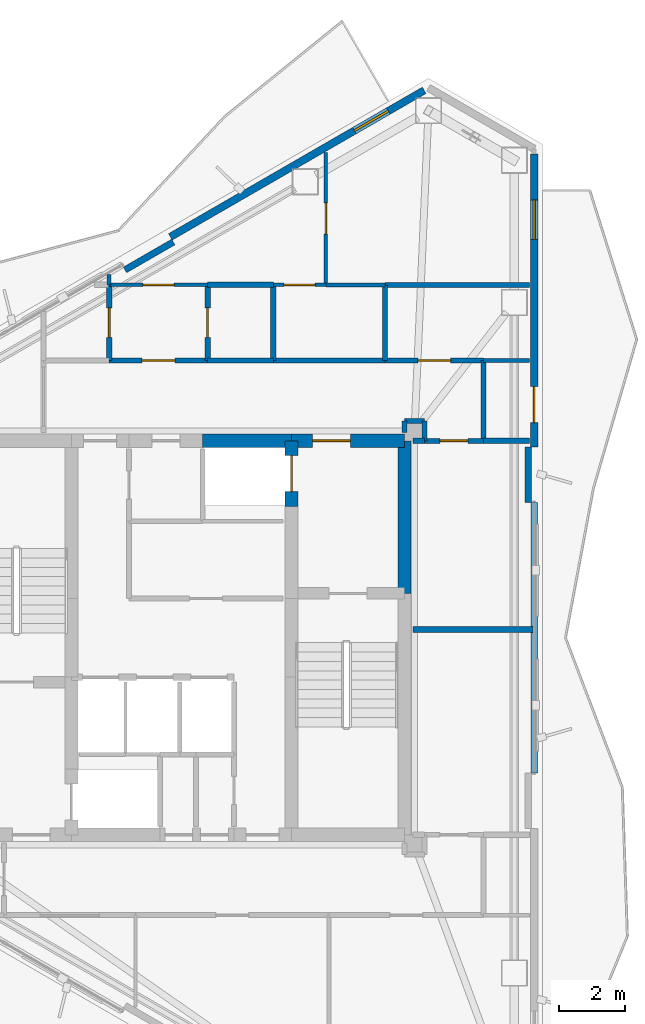
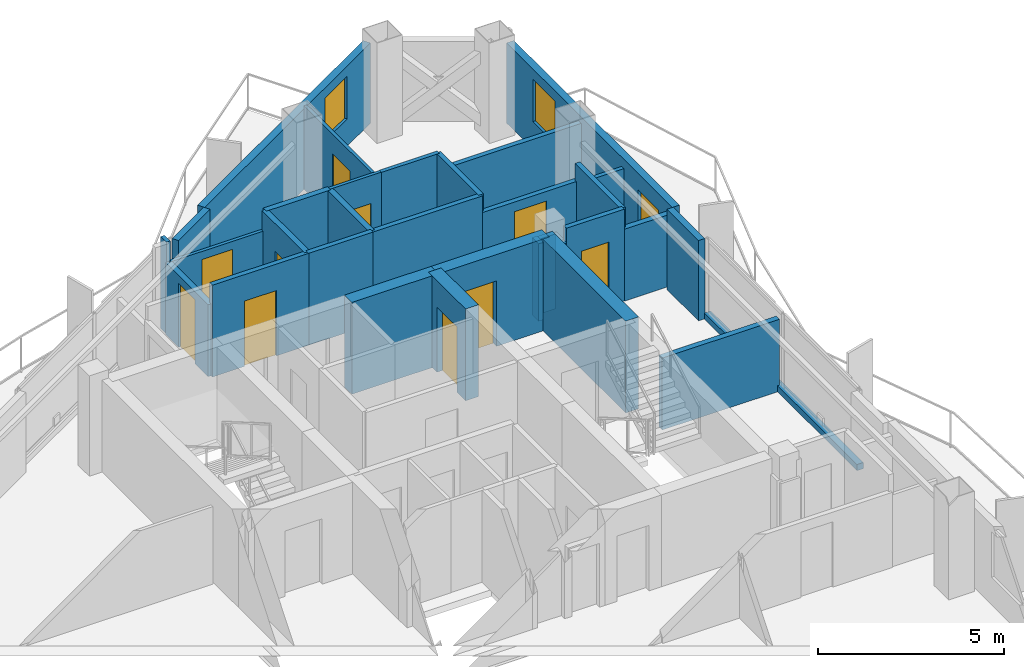
# One storey, part 16 of 18: 33 walls, 11 doors, 2 windows, 13 openings.
"""IFC4 building model written with IfcOpenShell, lengths in metres."""

from ifc_helpers import new_model, si_unit, direction, frame, frame_2d, origin, place, context, subcontext, project, spatial, rectangle, extrude, material, layer, layer_set, type_object, element, fill, save


model = new_model("IFC4")

# Units and contexts
model_context = context("Model", 3, precision=1e-05, world=origin(), true_north=direction((0.0, 1.0)))
body_context = subcontext(model_context, "Body", "Model", "MODEL_VIEW")
ifc_project = project(units=[si_unit("LENGTHUNIT", "METRE"), si_unit("AREAUNIT", "SQUARE_METRE"), si_unit("VOLUMEUNIT", "CUBIC_METRE"), si_unit("PLANEANGLEUNIT", "RADIAN"), si_unit("MASSUNIT", "GRAM", prefix="KILO")], contexts=[model_context])

# Site, building, storey
site_placement = place(None, origin())
site = spatial("IfcSite", under=ifc_project, at=site_placement, CompositionType="ELEMENT")
building_placement = place(site_placement, origin())
building = spatial("IfcBuilding", under=site, at=building_placement, Name="Mersakhor Tower and Convention Hall", CompositionType="ELEMENT")
storey_placement = place(building_placement, frame((0.0, 0.0, 246.300048828125)))
storey = spatial("IfcBuildingStorey", under=building, at=storey_placement, Name="L69", CompositionType="ELEMENT", Elevation=246.300048828125)

# Wall, opening, window
ifc_material_1 = material(Name="Precast concrete C40/50", Category="concrete")
ifc_layer_1 = layer(ifc_material_1, 0.22509765625)
ifc_layer_set_1 = layer_set([ifc_layer_1], Name="Precast concrete C40/50")
wall_type_1 = type_object("IfcWallType", Name="WL-EXT-225", PredefinedType="SOLIDWALL", material=ifc_layer_set_1)
wall_1_placement = place(storey_placement, frame((28.66357421875, 38.96044921875, 0.0), z_axis=(0.0, 0.0, 1.0), x_axis=(0.866026655105, 0.499997832642, 0.0)))
wall_1 = element("IfcWall", 1, at=wall_1_placement, inside=storey, type_object=wall_type_1, Name="L69 Exterior Facade Wall F1-B3", PredefinedType="SOLIDWALL", context=body_context, shape_type="SweptSolid", body=[
    extrude(rectangle(XDim=8.927734375, YDim=0.22509765625, at=frame_2d((4.4638671875, 0.0))), origin(), (0.0, 0.0, 1.0), 2.639892578125),
])
opening_1_placement = place(wall_1_placement, frame((6.471923828125, 0.0, 0.89990234375)))
opening_1 = element("IfcOpeningElement", 2, at=opening_1_placement, cuts=wall_1, Name="Opening W-01", PredefinedType="OPENING", context=body_context, shape_type="SweptSolid", body=[
    extrude(rectangle(XDim=1.199951171875, YDim=1.39990234375, at=frame_2d((0.60009765625, 0.699951171875))), frame((0.0, 0.12255859375, 0.0), z_axis=(0.0, -1.0, 0.0), x_axis=(1.0, 0.0, 0.0)), (0.0, 0.0, 1.0), 0.2451171875),
])
ifc_material_2 = material(Name="Dark solar low-E glazed aluminium window", Category="aluminium")
window_type = type_object("IfcWindowType", Name="WN-RES-120x150", PartitioningType="SINGLE_PANEL", PredefinedType="WINDOW", material=ifc_material_2)
window_1_placement = place(opening_1_placement, origin())
window_1 = element("IfcWindow", 3, at=window_1_placement, inside=storey, type_object=window_type, Name="L69 Bedroom Facade Window F1-B3-1", OverallHeight=1.39990234375, OverallWidth=1.199951171875, PartitioningType="SINGLE_PANEL", PredefinedType="WINDOW", context=body_context, shape_type="SweptSolid", body=[
    extrude(rectangle(XDim=1.199951171875, YDim=1.39990234375, at=frame_2d((0.60009765625, 0.699951171875))), frame((0.0, 0.030029296875, 0.0), z_axis=(0.0, -1.0, 0.0), x_axis=(1.0, 0.0, 0.0)), (0.0, 0.0, 1.0), 0.06005859375),
])
fill(opening_1, window_1)

# Wall, openings, door, window
wall_2_placement = place(storey_placement, frame((39.742919921875, 41.49169921875, 0.0), z_axis=(0.0, 0.0, 1.0), x_axis=(0.0, -1.0, 0.0)))
wall_2 = element("IfcWall", 4, at=wall_2_placement, inside=storey, type_object=wall_type_1, Name="L69 Exterior Facade Wall F2-B1", PredefinedType="SOLIDWALL", context=body_context, shape_type="SweptSolid", body=[
    extrude(rectangle(XDim=8.927734375, YDim=0.22509765625, at=frame_2d((4.4638671875, 0.0))), origin(), (0.0, 0.0, 1.0), 2.639892578125),
])
opening_2_placement = place(wall_2_placement, frame((7.090087890625, 0.0, 0.0)))
opening_2 = element("IfcOpeningElement", 5, at=opening_2_placement, cuts=wall_2, Name="Opening BD-02", PredefinedType="OPENING", context=body_context, shape_type="SweptSolid", body=[
    extrude(rectangle(XDim=1.10009765625, YDim=2.10009765625, at=frame_2d((0.550048828125, 1.050048828125))), frame((0.0, 0.12255859375, 0.0), z_axis=(0.0, -1.0, 0.0), x_axis=(1.0, 0.0, 0.0)), (0.0, 0.0, 1.0), 0.2451171875),
])
opening_3_placement = place(wall_2_placement, frame((1.406005859375, 0.0, 0.89990234375)))
opening_3 = element("IfcOpeningElement", 6, at=opening_3_placement, cuts=wall_2, Name="Opening W-01", PredefinedType="OPENING", context=body_context, shape_type="SweptSolid", body=[
    extrude(rectangle(XDim=1.199951171875, YDim=1.39990234375, at=frame_2d((0.60009765625, 0.699951171875))), frame((0.0, 0.12255859375, 0.0), z_axis=(0.0, -1.0, 0.0), x_axis=(1.0, 0.0, 0.0)), (0.0, 0.0, 1.0), 0.2451171875),
])
ifc_material_3 = material(Name="Thermally broken dark aluminium and safety glass", Category="aluminium")
door_type_1 = type_object("IfcDoorType", Name="DR-BAL-110x210", OperationType="NOTDEFINED", PredefinedType="DOOR", material=ifc_material_3)
door_1_placement = place(opening_2_placement, origin())
door_1 = element("IfcDoor", 7, at=door_1_placement, inside=storey, type_object=door_type_1, Name="L69 Balcony Terrace Door F2-B1", OperationType="SINGLE_SWING_RIGHT", OverallHeight=2.10009765625, OverallWidth=1.10009765625, PredefinedType="DOOR", context=body_context, shape_type="SweptSolid", body=[
    extrude(rectangle(XDim=1.10009765625, YDim=2.10009765625, at=frame_2d((0.550048828125, 1.050048828125))), frame((0.0, 0.02490234375, 0.0), z_axis=(0.0, -1.0, 0.0), x_axis=(1.0, 0.0, 0.0)), (0.0, 0.0, 1.0), 0.050048828125),
])
fill(opening_2, door_1)
window_2_placement = place(opening_3_placement, origin())
window_2 = element("IfcWindow", 8, at=window_2_placement, inside=storey, type_object=window_type, Name="L69 Bedroom Facade Window F2-B1-1", OverallHeight=1.39990234375, OverallWidth=1.199951171875, PartitioningType="SINGLE_PANEL", PredefinedType="WINDOW", context=body_context, shape_type="SweptSolid", body=[
    extrude(rectangle(XDim=1.199951171875, YDim=1.39990234375, at=frame_2d((0.60009765625, 0.699951171875))), frame((0.0, 0.030029296875, 0.0), z_axis=(0.0, -1.0, 0.0), x_axis=(1.0, 0.0, 0.0)), (0.0, 0.0, 1.0), 0.06005859375),
])
fill(opening_3, window_2)

# Walls
ifc_material_4 = material(Name="Precast concrete C40/50", Category="concrete")
ifc_layer_2 = layer(ifc_material_4, 0.199951171875)
ifc_layer_set_2 = layer_set([ifc_layer_2], Name="Precast concrete C40/50")
wall_type_2 = type_object("IfcWallType", Name="WL-PAR-200", PredefinedType="PARAPET", material=ifc_layer_set_2)
wall_3_placement = place(storey_placement, frame((27.28125, 37.95458984375, 0.0), z_axis=(0.0, 0.0, 1.0), x_axis=(0.866025371046, 0.500000056704, 0.0)))
element("IfcWall", 9, at=wall_3_placement, inside=storey, type_object=wall_type_2, Name="L69 Column Pier Cladding Wall F1-C2", PredefinedType="PARAPET", context=body_context, shape_type="SweptSolid", body=[
    extrude(rectangle(XDim=1.7001953125, YDim=0.199951171875, at=frame_2d((0.85009765625, 0.0))), origin(), (0.0, 0.0, 1.0), 2.639892578125),
])
wall_4_placement = place(storey_placement, frame((39.742919921875, 30.864013671875, 0.0), z_axis=(0.0, 0.0, 1.0), x_axis=(0.0, -1.0, 0.0)))
element("IfcWall", 10, at=wall_4_placement, inside=storey, type_object=wall_type_2, Name="L69 Curtain Wall Upstand Sill F2-B2", PredefinedType="PARAPET", context=body_context, shape_type="SweptSolid", body=[
    extrude(rectangle(XDim=8.22802734375, YDim=0.199951171875, at=frame_2d((4.114013671875, 0.0))), origin(), (0.0, 0.0, 1.0), 0.199951171875),
])
wall_5_placement = place(storey_placement, frame((39.562744140625, 32.56396484375, 0.0), z_axis=(0.0, 0.0, 1.0), x_axis=(0.0, -1.0, 0.0)))
element("IfcWall", 11, at=wall_5_placement, inside=storey, type_object=wall_type_2, Name="L69 Column Pier Cladding Wall F2-C1", PredefinedType="PARAPET", context=body_context, shape_type="SweptSolid", body=[
    extrude(rectangle(XDim=1.699951171875, YDim=0.199951171875, at=frame_2d((0.85009765625, 0.0))), origin(), (0.0, 0.0, 1.0), 2.639892578125),
])

# Wall, opening, door
ifc_material_5 = material(Name="Moisture-resistant acoustic drywall studwork", Category="other")
ifc_layer_3 = layer(ifc_material_5, 0.175048828125)
ifc_layer_set_3 = layer_set([ifc_layer_3], Name="Moisture-resistant acoustic drywall studwork")
wall_type_3 = type_object("IfcWallType", Name="WL-PLM-175", PredefinedType="PLUMBINGWALL", material=ifc_layer_set_3)
wall_6_placement = place(storey_placement, frame((29.800048828125, 37.5, 0.0), z_axis=(0.0, 0.0, 1.0), x_axis=(0.0, -1.0, 0.0)))
wall_6 = element("IfcWall", 12, at=wall_6_placement, inside=storey, type_object=wall_type_3, Name="L69 Interior Partition Wall P-037", PredefinedType="PLUMBINGWALL", context=body_context, shape_type="SweptSolid", body=[
    extrude(rectangle(XDim=2.300048828125, YDim=0.175048828125, at=frame_2d((1.14990234375, 0.0))), origin(), (0.0, 0.0, 1.0), 3.02001953125),
])
opening_4_placement = place(wall_6_placement, frame((0.699951171875, 0.0, 0.0)))
opening_4 = element("IfcOpeningElement", 13, at=opening_4_placement, cuts=wall_6, Name="Opening WD-01", PredefinedType="OPENING", context=body_context, shape_type="SweptSolid", body=[
    extrude(rectangle(XDim=0.89990234375, YDim=2.10009765625, at=frame_2d((0.449951171875, 1.050048828125))), frame((0.0, 0.097412109375, 0.0), z_axis=(0.0, -1.0, 0.0), x_axis=(1.0, 0.0, 0.0)), (0.0, 0.0, 1.0), 0.195068359375),
])
ifc_material_6 = material(Name="Solid-core hardwood leaf in painted steel frame", Category="steel")
door_type_2 = type_object("IfcDoorType", Name="DR-INT-WET-090x210", OperationType="NOTDEFINED", PredefinedType="DOOR", material=ifc_material_6)
door_2_placement = place(opening_4_placement, origin())
door_2 = element("IfcDoor", 14, at=door_2_placement, inside=storey, type_object=door_type_2, Name="L69 L69 Flat N1 Apartment Hall to L69 Flat N1 En-Suite Shower Room Door", OperationType="SINGLE_SWING_RIGHT", OverallHeight=2.10009765625, OverallWidth=0.89990234375, PredefinedType="DOOR", context=body_context, shape_type="SweptSolid", body=[
    extrude(rectangle(XDim=0.89990234375, YDim=2.10009765625, at=frame_2d((0.449951171875, 1.050048828125))), frame((0.0, 0.02490234375, 0.0), z_axis=(0.0, -1.0, 0.0), x_axis=(1.0, 0.0, 0.0)), (0.0, 0.0, 1.0), 0.050048828125),
])
fill(opening_4, door_2)

wall_7_placement = place(storey_placement, frame((26.800048828125, 35.199951171875, 0.0), z_axis=(0.0, 0.0, 1.0), x_axis=(0.0, 1.0, 0.0)))
wall_7 = element("IfcWall", 15, at=wall_7_placement, inside=storey, type_object=wall_type_3, Name="L69 Interior Partition Wall P-038", PredefinedType="PLUMBINGWALL", context=body_context, shape_type="SweptSolid", body=[
    extrude(rectangle(XDim=2.300048828125, YDim=0.175048828125, at=frame_2d((1.14990234375, 0.0))), origin(), (0.0, 0.0, 1.0), 2.364990234375),
])
opening_5_placement = place(wall_7_placement, frame((0.699951171875, 0.0, 0.0)))
opening_5 = element("IfcOpeningElement", 16, at=opening_5_placement, cuts=wall_7, Name="Opening WD-01", PredefinedType="OPENING", context=body_context, shape_type="SweptSolid", body=[
    extrude(rectangle(XDim=0.89990234375, YDim=2.10009765625, at=frame_2d((0.449951171875, 1.050048828125))), frame((0.0, 0.097412109375, 0.0), z_axis=(0.0, -1.0, 0.0), x_axis=(1.0, 0.0, 0.0)), (0.0, 0.0, 1.0), 0.195068359375),
])
door_3_placement = place(opening_5_placement, origin())
door_3 = element("IfcDoor", 17, at=door_3_placement, inside=storey, type_object=door_type_2, Name="L69 L69 Flat N1 Apartment Hall to L69 Flat N1 Bathroom Door", OperationType="SINGLE_SWING_LEFT", OverallHeight=2.10009765625, OverallWidth=0.89990234375, PredefinedType="DOOR", context=body_context, shape_type="SweptSolid", body=[
    extrude(rectangle(XDim=0.89990234375, YDim=2.10009765625, at=frame_2d((0.449951171875, 1.050048828125))), frame((0.0, 0.02490234375, 0.0), z_axis=(0.0, -1.0, 0.0), x_axis=(1.0, 0.0, 0.0)), (0.0, 0.0, 1.0), 0.050048828125),
])
fill(opening_5, door_3)

# Walls
wall_8_placement = place(storey_placement, frame((36.050048828125, 32.75, 0.0), z_axis=(0.0, 0.0, 1.0), x_axis=(1.0, 0.0, 0.0)))
element("IfcWall", 18, at=wall_8_placement, inside=storey, type_object=wall_type_3, Name="L69 Interior Partition Wall P-039", PredefinedType="PLUMBINGWALL", context=body_context, shape_type="SweptSolid", body=[
    extrude(rectangle(XDim=0.349853515625, YDim=0.175048828125, at=frame_2d((0.1748046875, 0.0))), origin(), (0.0, 0.0, 1.0), 2.544921875),
])
wall_9_placement = place(storey_placement, frame((38.199951171875, 32.75, 0.0), z_axis=(0.0, 0.0, 1.0), x_axis=(1.0, 0.0, 0.0)))
element("IfcWall", 19, at=wall_9_placement, inside=storey, type_object=wall_type_3, Name="L69 Interior Partition Wall P-040", PredefinedType="PLUMBINGWALL", context=body_context, shape_type="SweptSolid", body=[
    extrude(rectangle(XDim=1.40625, YDim=0.175048828125, at=frame_2d((0.703125, 0.0))), origin(), (0.0, 0.0, 1.0), 2.364990234375),
])
wall_10_placement = place(storey_placement, frame((39.702880859375, 27.0, 0.0), z_axis=(0.0, 0.0, 1.0), x_axis=(-1.0, 0.0, 0.0)))
element("IfcWall", 20, at=wall_10_placement, inside=storey, type_object=wall_type_3, Name="L69 Interior Partition Wall P-041", PredefinedType="PLUMBINGWALL", context=body_context, shape_type="SweptSolid", body=[
    extrude(rectangle(XDim=3.65283203125, YDim=0.175048828125, at=frame_2d((1.826416015625, 0.0))), origin(), (0.0, 0.0, 1.0), 2.364990234375),
])
wall_11_placement = place(storey_placement, frame((29.800048828125, 37.5, 0.0), z_axis=(0.0, 0.0, 1.0), x_axis=(1.0, 0.0, 0.0)))
element("IfcWall", 21, at=wall_11_placement, inside=storey, type_object=wall_type_3, Name="L69 Interior Partition Wall P-046", PredefinedType="PLUMBINGWALL", context=body_context, shape_type="SweptSolid", body=[
    extrude(rectangle(XDim=2.0, YDim=0.175048828125, at=frame_2d((1.0, 0.0))), origin(), (0.0, 0.0, 1.0), 3.02001953125),
])
wall_12_placement = place(storey_placement, frame((31.800048828125, 37.5, 0.0), z_axis=(0.0, 0.0, 1.0), x_axis=(0.0, -1.0, 0.0)))
element("IfcWall", 22, at=wall_12_placement, inside=storey, type_object=wall_type_3, Name="L69 Interior Partition Wall P-047", PredefinedType="PLUMBINGWALL", context=body_context, shape_type="SweptSolid", body=[
    extrude(rectangle(XDim=2.300048828125, YDim=0.175048828125, at=frame_2d((1.14990234375, 0.0))), origin(), (0.0, 0.0, 1.0), 3.02001953125),
])

# Wall, opening, door
ifc_material_7 = material(Name="Lightweight gypsum partition", Category="other")
ifc_layer_4 = layer(ifc_material_7, 0.10009765625)
ifc_layer_set_4 = layer_set([ifc_layer_4], Name="Lightweight gypsum partition")
wall_type_4 = type_object("IfcWallType", Name="WL-PRT-100", PredefinedType="PARTITIONING", material=ifc_layer_set_4)
wall_13_placement = place(storey_placement, frame((26.800048828125, 37.5, 0.0), z_axis=(0.0, 0.0, 1.0), x_axis=(1.0, 0.0, 0.0)))
wall_13 = element("IfcWall", 23, at=wall_13_placement, inside=storey, type_object=wall_type_4, Name="L69 Interior Partition Wall P-036", PredefinedType="PARTITIONING", context=body_context, shape_type="SweptSolid", body=[
    extrude(rectangle(XDim=3.0, YDim=0.10009765625, at=frame_2d((1.5, 0.0))), origin(), (0.0, 0.0, 1.0), 2.364990234375),
])
opening_6_placement = place(wall_13_placement, frame((1.02490234375, 0.0, 0.0)))
opening_6 = element("IfcOpeningElement", 24, at=opening_6_placement, cuts=wall_13, Name="Opening RD-01", PredefinedType="OPENING", context=body_context, shape_type="SweptSolid", body=[
    extrude(rectangle(XDim=0.949951171875, YDim=2.10009765625, at=frame_2d((0.47509765625, 1.050048828125))), frame((0.0, 0.06005859375, 0.0), z_axis=(0.0, -1.0, 0.0), x_axis=(1.0, 0.0, 0.0)), (0.0, 0.0, 1.0), 0.1201171875),
])
ifc_material_8 = material(Name="Solid-core hardwood leaf in painted steel frame", Category="steel")
door_type_3 = type_object("IfcDoorType", Name="DR-INT-RM-095x210", OperationType="NOTDEFINED", PredefinedType="DOOR", material=ifc_material_8)
door_4_placement = place(opening_6_placement, origin())
door_4 = element("IfcDoor", 25, at=door_4_placement, inside=storey, type_object=door_type_3, Name="L69 L69 Flat N1 Apartment Hall to L69 Flat N1 Living and Dining Room Door", OperationType="SINGLE_SWING_LEFT", OverallHeight=2.10009765625, OverallWidth=0.949951171875, PredefinedType="DOOR", context=body_context, shape_type="SweptSolid", body=[
    extrude(rectangle(XDim=0.949951171875, YDim=2.10009765625, at=frame_2d((0.47509765625, 1.050048828125))), frame((0.0, 0.02490234375, 0.0), z_axis=(0.0, -1.0, 0.0), x_axis=(1.0, 0.0, 0.0)), (0.0, 0.0, 1.0), 0.050048828125),
])
fill(opening_6, door_4)

wall_14_placement = place(storey_placement, frame((31.800048828125, 37.5, 0.0), z_axis=(0.0, 0.0, 1.0), x_axis=(1.0, 0.0, 0.0)))
wall_14 = element("IfcWall", 26, at=wall_14_placement, inside=storey, type_object=wall_type_4, Name="L69 Interior Partition Wall P-048", PredefinedType="PARTITIONING", context=body_context, shape_type="SweptSolid", body=[
    extrude(rectangle(XDim=1.599853515625, YDim=0.10009765625, at=frame_2d((0.7998046875, 0.0))), origin(), (0.0, 0.0, 1.0), 3.02001953125),
])
opening_7_placement = place(wall_14_placement, frame((0.324951171875, 0.0, 0.0)))
opening_7 = element("IfcOpeningElement", 27, at=opening_7_placement, cuts=wall_14, Name="Opening RD-01", PredefinedType="OPENING", context=body_context, shape_type="SweptSolid", body=[
    extrude(rectangle(XDim=0.949951171875, YDim=2.10009765625, at=frame_2d((0.47509765625, 1.050048828125))), frame((0.0, 0.06005859375, 0.0), z_axis=(0.0, -1.0, 0.0), x_axis=(1.0, 0.0, 0.0)), (0.0, 0.0, 1.0), 0.1201171875),
])
door_5_placement = place(opening_7_placement, origin())
door_5 = element("IfcDoor", 28, at=door_5_placement, inside=storey, type_object=door_type_3, Name="L69 L69 Flat N1 Kitchen to L69 Flat N1 Living and Dining Room Door", OperationType="SINGLE_SWING_RIGHT", OverallHeight=2.10009765625, OverallWidth=0.949951171875, PredefinedType="DOOR", context=body_context, shape_type="SweptSolid", body=[
    extrude(rectangle(XDim=0.949951171875, YDim=2.10009765625, at=frame_2d((0.47509765625, 1.050048828125))), frame((0.0, 0.02490234375, 0.0), z_axis=(0.0, -1.0, 0.0), x_axis=(1.0, 0.0, 0.0)), (0.0, 0.0, 1.0), 0.050048828125),
])
fill(opening_7, door_5)

wall_15_placement = place(storey_placement, frame((33.39990234375, 41.537353515625, 0.0), z_axis=(0.0, 0.0, 1.0), x_axis=(0.0, -1.0, 0.0)))
wall_15 = element("IfcWall", 29, at=wall_15_placement, inside=storey, type_object=wall_type_4, Name="L69 Interior Partition Wall P-064", PredefinedType="PARTITIONING", context=body_context, shape_type="SweptSolid", body=[
    extrude(rectangle(XDim=4.037353515625, YDim=0.10009765625, at=frame_2d((2.0185546875, 0.0))), origin(), (0.0, 0.0, 1.0), 2.74462890625),
])
opening_8_placement = place(wall_15_placement, frame((1.543701171875, 0.0, 0.0)))
opening_8 = element("IfcOpeningElement", 30, at=opening_8_placement, cuts=wall_15, Name="Opening RD-01", PredefinedType="OPENING", context=body_context, shape_type="SweptSolid", body=[
    extrude(rectangle(XDim=0.949951171875, YDim=2.10009765625, at=frame_2d((0.47509765625, 1.050048828125))), frame((0.0, 0.06005859375, 0.0), z_axis=(0.0, -1.0, 0.0), x_axis=(1.0, 0.0, 0.0)), (0.0, 0.0, 1.0), 0.1201171875),
])
door_6_placement = place(opening_8_placement, origin())
door_6 = element("IfcDoor", 31, at=door_6_placement, inside=storey, type_object=door_type_3, Name="L69 L69 Flat N1 Living and Dining Room to L69 Flat N1 Master Bedroom Door", OperationType="SINGLE_SWING_LEFT", OverallHeight=2.10009765625, OverallWidth=0.949951171875, PredefinedType="DOOR", context=body_context, shape_type="SweptSolid", body=[
    extrude(rectangle(XDim=0.949951171875, YDim=2.10009765625, at=frame_2d((0.47509765625, 1.050048828125))), frame((0.0, 0.02490234375, 0.0), z_axis=(0.0, -1.0, 0.0), x_axis=(1.0, 0.0, 0.0)), (0.0, 0.0, 1.0), 0.050048828125),
])
fill(opening_8, door_6)

# Walls
ifc_material_9 = material(Name="Gypsum board acoustic partition", Category="other")
ifc_layer_5 = layer(ifc_material_9, 0.125)
ifc_layer_set_5 = layer_set([ifc_layer_5], Name="Gypsum board acoustic partition")
wall_type_5 = type_object("IfcWallType", Name="WL-PRT-125", PredefinedType="PARTITIONING", material=ifc_layer_set_5)
wall_16_placement = place(storey_placement, frame((33.39990234375, 37.5, 0.0), z_axis=(0.0, 0.0, 1.0), x_axis=(1.0, 0.0, 0.0)))
element("IfcWall", 32, at=wall_16_placement, inside=storey, type_object=wall_type_5, Name="L69 Interior Partition Wall P-049", PredefinedType="PARTITIONING", context=body_context, shape_type="SweptSolid", body=[
    extrude(rectangle(XDim=1.800048828125, YDim=0.125, at=frame_2d((0.89990234375, 0.0))), origin(), (0.0, 0.0, 1.0), 3.02001953125),
])
wall_17_placement = place(storey_placement, frame((39.606201171875, 35.199951171875, 0.0), z_axis=(0.0, 0.0, 1.0), x_axis=(-1.0, 0.0, 0.0)))
element("IfcWall", 33, at=wall_17_placement, inside=storey, type_object=wall_type_5, Name="L69 Interior Partition Wall P-053", PredefinedType="PARTITIONING", context=body_context, shape_type="SweptSolid", body=[
    extrude(rectangle(XDim=1.40625, YDim=0.125, at=frame_2d((0.703125, 0.0))), origin(), (0.0, 0.0, 1.0), 2.364990234375),
])
wall_18_placement = place(storey_placement, frame((26.800048828125, 37.5, 0.0), z_axis=(0.0, 0.0, 1.0), x_axis=(0.0, 1.0, 0.0)))
element("IfcWall", 34, at=wall_18_placement, inside=storey, type_object=wall_type_5, Name="L69 Interior Partition Wall P-063", PredefinedType="PARTITIONING", context=body_context, shape_type="SweptSolid", body=[
    extrude(rectangle(XDim=0.308349609375, YDim=0.125, at=frame_2d((0.154296875, 0.0))), origin(), (0.0, 0.0, 1.0), 3.02001953125),
])

# Wall, opening, door
ifc_material_10 = material(Name="Fire-rated gypsum board stud partition", Category="other")
ifc_layer_6 = layer(ifc_material_10, 0.14990234375)
ifc_layer_set_6 = layer_set([ifc_layer_6], Name="Fire-rated gypsum board stud partition")
wall_type_6 = type_object("IfcWallType", Name="WL-PRT-150", PredefinedType="PARTITIONING", material=ifc_layer_set_6)
wall_19_placement = place(storey_placement, frame((26.800048828125, 35.199951171875, 0.0), z_axis=(0.0, 0.0, 1.0), x_axis=(1.0, 0.0, 0.0)))
wall_19 = element("IfcWall", 35, at=wall_19_placement, inside=storey, type_object=wall_type_6, Name="L69 Interior Partition Wall P-017", PredefinedType="PARTITIONING", context=body_context, shape_type="SweptSolid", body=[
    extrude(rectangle(XDim=3.0, YDim=0.14990234375, at=frame_2d((1.5, 0.0))), origin(), (0.0, 0.0, 1.0), 3.02001953125),
])
opening_9_placement = place(wall_19_placement, frame((1.0, 0.0, 0.0)))
opening_9 = element("IfcOpeningElement", 36, at=opening_9_placement, cuts=wall_19, Name="Opening FD-01", PredefinedType="OPENING", context=body_context, shape_type="SweptSolid", body=[
    extrude(rectangle(XDim=1.0, YDim=2.14990234375, at=frame_2d((0.5, 1.074951171875))), frame((0.0, 0.0849609375, 0.0), z_axis=(0.0, -1.0, 0.0), x_axis=(1.0, 0.0, 0.0)), (0.0, 0.0, 1.0), 0.169921875),
])
ifc_material_11 = material(Name="Fire-rated hardwood leaf and painted steel frame", Category="steel")
door_type_4 = type_object("IfcDoorType", Name="DR-INT-FLT-100x215", OperationType="NOTDEFINED", PredefinedType="DOOR", material=ifc_material_11)
door_7_placement = place(opening_9_placement, origin())
door_7 = element("IfcDoor", 37, at=door_7_placement, inside=storey, type_object=door_type_4, Name="L69 Apartment Entrance Door (Residential North Gallery Corridor to L69 Flat N1 Apartment Hall)", OperationType="SINGLE_SWING_LEFT", OverallHeight=2.14990234375, OverallWidth=1.0, PredefinedType="DOOR", context=body_context, shape_type="SweptSolid", body=[
    extrude(rectangle(XDim=1.0, YDim=2.14990234375, at=frame_2d((0.5, 1.074951171875))), frame((0.0, 0.02490234375, 0.0), z_axis=(0.0, -1.0, 0.0), x_axis=(1.0, 0.0, 0.0)), (0.0, 0.0, 1.0), 0.050048828125),
])
fill(opening_9, door_7)

# Walls
wall_20_placement = place(storey_placement, frame((29.800048828125, 35.199951171875, 0.0), z_axis=(0.0, 0.0, 1.0), x_axis=(1.0, 0.0, 0.0)))
element("IfcWall", 38, at=wall_20_placement, inside=storey, type_object=wall_type_6, Name="L69 Interior Partition Wall P-018", PredefinedType="PARTITIONING", context=body_context, shape_type="SweptSolid", body=[
    extrude(rectangle(XDim=2.0, YDim=0.14990234375, at=frame_2d((1.0, 0.0))), origin(), (0.0, 0.0, 1.0), 3.02001953125),
])
wall_21_placement = place(storey_placement, frame((31.800048828125, 35.199951171875, 0.0), z_axis=(0.0, 0.0, 1.0), x_axis=(1.0, 0.0, 0.0)))
element("IfcWall", 39, at=wall_21_placement, inside=storey, type_object=wall_type_6, Name="L69 Interior Partition Wall P-019", PredefinedType="PARTITIONING", context=body_context, shape_type="SweptSolid", body=[
    extrude(rectangle(XDim=3.39990234375, YDim=0.14990234375, at=frame_2d((1.699951171875, 0.0))), origin(), (0.0, 0.0, 1.0), 3.02001953125),
])

# Wall, opening, door
wall_22_placement = place(storey_placement, frame((35.199951171875, 35.199951171875, 0.0), z_axis=(0.0, 0.0, 1.0), x_axis=(1.0, 0.0, 0.0)))
wall_22 = element("IfcWall", 40, at=wall_22_placement, inside=storey, type_object=wall_type_6, Name="L69 Interior Partition Wall P-020", PredefinedType="PARTITIONING", context=body_context, shape_type="SweptSolid", body=[
    extrude(rectangle(XDim=3.0, YDim=0.14990234375, at=frame_2d((1.5, 0.0))), origin(), (0.0, 0.0, 1.0), 2.46826171875),
])
opening_10_placement = place(wall_22_placement, frame((1.0, 0.0, 0.0)))
opening_10 = element("IfcOpeningElement", 41, at=opening_10_placement, cuts=wall_22, Name="Opening FD-01", PredefinedType="OPENING", context=body_context, shape_type="SweptSolid", body=[
    extrude(rectangle(XDim=1.0, YDim=2.14990234375, at=frame_2d((0.5, 1.074951171875))), frame((0.0, 0.0849609375, 0.0), z_axis=(0.0, -1.0, 0.0), x_axis=(1.0, 0.0, 0.0)), (0.0, 0.0, 1.0), 0.169921875),
])
door_8_placement = place(opening_10_placement, origin())
door_8 = element("IfcDoor", 42, at=door_8_placement, inside=storey, type_object=door_type_4, Name="L69 Residential North Gallery Corridor to L69 North-East Shared Tea Pantry Door", OperationType="SINGLE_SWING_RIGHT", OverallHeight=2.14990234375, OverallWidth=1.0, PredefinedType="DOOR", context=body_context, shape_type="SweptSolid", body=[
    extrude(rectangle(XDim=1.0, YDim=2.14990234375, at=frame_2d((0.5, 1.074951171875))), frame((0.0, 0.02490234375, 0.0), z_axis=(0.0, -1.0, 0.0), x_axis=(1.0, 0.0, 0.0)), (0.0, 0.0, 1.0), 0.050048828125),
])
fill(opening_10, door_8)

# Wall
wall_23_placement = place(storey_placement, frame((38.199951171875, 35.199951171875, 0.0), z_axis=(0.0, 0.0, 1.0), x_axis=(0.0, -1.0, 0.0)))
element("IfcWall", 43, at=wall_23_placement, inside=storey, type_object=wall_type_6, Name="L69 Interior Partition Wall P-021", PredefinedType="PARTITIONING", context=body_context, shape_type="SweptSolid", body=[
    extrude(rectangle(XDim=2.449951171875, YDim=0.14990234375, at=frame_2d((1.22509765625, 0.0))), origin(), (0.0, 0.0, 1.0), 3.02001953125),
])

# Wall, opening, door
wall_24_placement = place(storey_placement, frame((38.199951171875, 32.75, 0.0), z_axis=(0.0, 0.0, 1.0), x_axis=(-1.0, 0.0, 0.0)))
wall_24 = element("IfcWall", 44, at=wall_24_placement, inside=storey, type_object=wall_type_6, Name="L69 Interior Partition Wall P-022", PredefinedType="PARTITIONING", context=body_context, shape_type="SweptSolid", body=[
    extrude(rectangle(XDim=1.800048828125, YDim=0.14990234375, at=frame_2d((0.89990234375, 0.0))), origin(), (0.0, 0.0, 1.0), 3.02001953125),
])
opening_11_placement = place(wall_24_placement, frame((0.47509765625, 0.0, 0.0)))
opening_11 = element("IfcOpeningElement", 45, at=opening_11_placement, cuts=wall_24, Name="Opening SVD-01", PredefinedType="OPENING", context=body_context, shape_type="SweptSolid", body=[
    extrude(rectangle(XDim=0.85009765625, YDim=2.10009765625, at=frame_2d((0.425048828125, 1.050048828125))), frame((0.0, 0.0849609375, 0.0), z_axis=(0.0, -1.0, 0.0), x_axis=(1.0, 0.0, 0.0)), (0.0, 0.0, 1.0), 0.169921875),
])
ifc_material_12 = material(Name="Fire-rated hardwood leaf and painted steel frame", Category="steel")
door_type_5 = type_object("IfcDoorType", Name="DR-INT-SVC-085x210", OperationType="NOTDEFINED", PredefinedType="DOOR", material=ifc_material_12)
door_9_placement = place(opening_11_placement, origin())
door_9 = element("IfcDoor", 46, at=door_9_placement, inside=storey, type_object=door_type_5, Name="L69 Residential North Gallery Corridor to L69 East Crown Public Restroom WC Door", OperationType="SINGLE_SWING_RIGHT", OverallHeight=2.10009765625, OverallWidth=0.85009765625, PredefinedType="DOOR", context=body_context, shape_type="SweptSolid", body=[
    extrude(rectangle(XDim=0.85009765625, YDim=2.10009765625, at=frame_2d((0.425048828125, 1.050048828125))), frame((0.0, 0.02490234375, 0.0), z_axis=(0.0, -1.0, 0.0), x_axis=(1.0, 0.0, 0.0)), (0.0, 0.0, 1.0), 0.050048828125),
])
fill(opening_11, door_9)

# Walls
wall_25_placement = place(storey_placement, frame((36.39990234375, 32.75, 0.0), z_axis=(0.0, 0.0, 1.0), x_axis=(0.0, 1.0, 0.0)))
element("IfcWall", 47, at=wall_25_placement, inside=storey, type_object=wall_type_6, Name="L69 Interior Partition Wall P-023", PredefinedType="PARTITIONING", context=body_context, shape_type="SweptSolid", body=[
    extrude(rectangle(XDim=0.60009765625, YDim=0.14990234375, at=frame_2d((0.300048828125, 0.0))), origin(), (0.0, 0.0, 1.0), 2.46826171875),
])
wall_26_placement = place(storey_placement, frame((36.39990234375, 33.35009765625, 0.0), z_axis=(0.0, 0.0, 1.0), x_axis=(-1.0, 0.0, 0.0)))
element("IfcWall", 48, at=wall_26_placement, inside=storey, type_object=wall_type_6, Name="L69 Interior Partition Wall P-024", PredefinedType="PARTITIONING", context=body_context, shape_type="SweptSolid", body=[
    extrude(rectangle(XDim=0.599853515625, YDim=0.14990234375, at=frame_2d((0.2998046875, 0.0))), origin(), (0.0, 0.0, 1.0), 2.46826171875),
])
wall_27_placement = place(storey_placement, frame((35.800048828125, 33.35009765625, 0.0), z_axis=(0.0, 0.0, 1.0), x_axis=(0.0, -1.0, 0.0)))
element("IfcWall", 49, at=wall_27_placement, inside=storey, type_object=wall_type_6, Name="L69 Interior Partition Wall P-025", PredefinedType="PARTITIONING", context=body_context, shape_type="SweptSolid", body=[
    extrude(rectangle(XDim=0.35009765625, YDim=0.14990234375, at=frame_2d((0.175048828125, 0.0))), origin(), (0.0, 0.0, 1.0), 2.544921875),
])
wall_28_placement = place(storey_placement, frame((35.199951171875, 37.5, 0.0), z_axis=(0.0, 0.0, 1.0), x_axis=(0.0, -1.0, 0.0)))
element("IfcWall", 50, at=wall_28_placement, inside=storey, type_object=wall_type_6, Name="L69 Interior Partition Wall P-050", PredefinedType="PARTITIONING", context=body_context, shape_type="SweptSolid", body=[
    extrude(rectangle(XDim=2.300048828125, YDim=0.14990234375, at=frame_2d((1.14990234375, 0.0))), origin(), (0.0, 0.0, 1.0), 3.02001953125),
])
wall_29_placement = place(storey_placement, frame((35.199951171875, 37.5, 0.0), z_axis=(0.0, 0.0, 1.0), x_axis=(1.0, 0.0, 0.0)))
element("IfcWall", 51, at=wall_29_placement, inside=storey, type_object=wall_type_6, Name="L69 Interior Partition Wall P-054", PredefinedType="PARTITIONING", context=body_context, shape_type="SweptSolid", body=[
    extrude(rectangle(XDim=4.40625, YDim=0.14990234375, at=frame_2d((2.203125, 0.0))), origin(), (0.0, 0.0, 1.0), 2.46826171875),
])
ifc_material_13 = material(Name="Concrete C60/75", Category="concrete")
ifc_layer_7 = layer(ifc_material_13, 0.39990234375)
ifc_layer_set_7 = layer_set([ifc_layer_7], Name="Concrete C60/75")
wall_type_7 = type_object("IfcWallType", Name="WL-SHR-400", PredefinedType="SHEAR", material=ifc_layer_set_7)
wall_30_placement = place(storey_placement, frame((29.64990234375, 32.75, 0.0), z_axis=(0.0, 0.0, 1.0), x_axis=(1.0, 0.0, 0.0)))
element("IfcWall", 52, at=wall_30_placement, inside=storey, type_object=wall_type_7, Name="L69 Core Wall CW-N3", PredefinedType="SHEAR", context=body_context, shape_type="SweptSolid", body=[
    extrude(rectangle(XDim=2.7001953125, YDim=0.39990234375, at=frame_2d((1.35009765625, 0.0))), origin(), (0.0, 0.0, 1.0), 3.02001953125),
])

# Wall, opening, door
wall_31_placement = place(storey_placement, frame((32.35009765625, 32.75, 0.0), z_axis=(0.0, 0.0, 1.0), x_axis=(1.0, 0.0, 0.0)))
wall_31 = element("IfcWall", 53, at=wall_31_placement, inside=storey, type_object=wall_type_7, Name="L69 Core Wall CW-N4", PredefinedType="SHEAR", context=body_context, shape_type="SweptSolid", body=[
    extrude(rectangle(XDim=3.449951171875, YDim=0.39990234375, at=frame_2d((1.72509765625, 0.0))), origin(), (0.0, 0.0, 1.0), 3.02001953125),
])
opening_12_placement = place(wall_31_placement, frame((0.64990234375, 0.0, 0.0)))
opening_12 = element("IfcOpeningElement", 54, at=opening_12_placement, cuts=wall_31, Name="Opening SD-01", PredefinedType="OPENING", context=body_context, shape_type="SweptSolid", body=[
    extrude(rectangle(XDim=1.14990234375, YDim=2.14990234375, at=frame_2d((0.574951171875, 1.074951171875))), frame((0.0, 0.2099609375, 0.0), z_axis=(0.0, -1.0, 0.0), x_axis=(1.0, 0.0, 0.0)), (0.0, 0.0, 1.0), 0.419921875),
])
ifc_material_14 = material(Name="Fire-rated hardwood leaf and painted steel frame", Category="steel")
door_type_6 = type_object("IfcDoorType", Name="DR-INT-STAIR-115x215", OperationType="NOTDEFINED", PredefinedType="DOOR", material=ifc_material_14)
door_10_placement = place(opening_12_placement, origin())
door_10 = element("IfcDoor", 55, at=door_10_placement, inside=storey, type_object=door_type_6, Name="L69 Firefighting Lobby East Fire Door", OperationType="SINGLE_SWING_RIGHT", OverallHeight=2.14990234375, OverallWidth=1.14990234375, PredefinedType="DOOR", context=body_context, shape_type="SweptSolid", body=[
    extrude(rectangle(XDim=1.14990234375, YDim=2.14990234375, at=frame_2d((0.574951171875, 1.074951171875))), frame((0.0, 0.02490234375, 0.0), z_axis=(0.0, -1.0, 0.0), x_axis=(1.0, 0.0, 0.0)), (0.0, 0.0, 1.0), 0.050048828125),
])
fill(opening_12, door_10)

# Wall
wall_32_placement = place(storey_placement, frame((35.800048828125, 32.75, 0.0), z_axis=(0.0, 0.0, 1.0), x_axis=(0.0, -1.0, 0.0)))
element("IfcWall", 56, at=wall_32_placement, inside=storey, type_object=wall_type_7, Name="L69 Core Wall CW-E1", PredefinedType="SHEAR", context=body_context, shape_type="SweptSolid", body=[
    extrude(rectangle(XDim=4.64990234375, YDim=0.39990234375, at=frame_2d((2.324951171875, 0.0))), origin(), (0.0, 0.0, 1.0), 3.02001953125),
])

# Wall, opening, door
wall_33_placement = place(storey_placement, frame((32.35009765625, 30.75, 0.0), z_axis=(0.0, 0.0, 1.0), x_axis=(0.0, 1.0, 0.0)))
wall_33 = element("IfcWall", 57, at=wall_33_placement, inside=storey, type_object=wall_type_7, Name="L69 Core Wall CS-E-FFL", PredefinedType="SHEAR", context=body_context, shape_type="SweptSolid", body=[
    extrude(rectangle(XDim=2.0, YDim=0.39990234375, at=frame_2d((1.0, 0.0))), origin(), (0.0, 0.0, 1.0), 3.02001953125),
])
opening_13_placement = place(wall_33_placement, frame((0.449951171875, 0.0, 0.0)))
opening_13 = element("IfcOpeningElement", 58, at=opening_13_placement, cuts=wall_33, Name="Opening LD-FFL2", PredefinedType="OPENING", context=body_context, shape_type="SweptSolid", body=[
    extrude(rectangle(XDim=1.10009765625, YDim=2.14990234375, at=frame_2d((0.550048828125, 1.074951171875))), frame((0.0, 0.2099609375, 0.0), z_axis=(0.0, -1.0, 0.0), x_axis=(1.0, 0.0, 0.0)), (0.0, 0.0, 1.0), 0.419921875),
])
ifc_material_15 = material(Name="Fire-rated brushed stainless steel sliding landing door", Category="steel")
door_type_7 = type_object("IfcDoorType", Name="DR-LIFT-SLD-110x215", OperationType="NOTDEFINED", PredefinedType="DOOR", material=ifc_material_15)
door_11_placement = place(opening_13_placement, origin())
door_11 = element("IfcDoor", 59, at=door_11_placement, inside=storey, type_object=door_type_7, Name="L69 Firefighting Lift Landing Door LD-FFL2", OperationType="SLIDING_TO_LEFT", OverallHeight=2.14990234375, OverallWidth=1.10009765625, PredefinedType="DOOR", context=body_context, shape_type="SweptSolid", body=[
    extrude(rectangle(XDim=1.10009765625, YDim=2.14990234375, at=frame_2d((0.550048828125, 1.074951171875))), frame((0.0, 0.02490234375, 0.0), z_axis=(0.0, -1.0, 0.0), x_axis=(1.0, 0.0, 0.0)), (0.0, 0.0, 1.0), 0.050048828125),
])
fill(opening_13, door_11)

save(model, "model.ifc")
